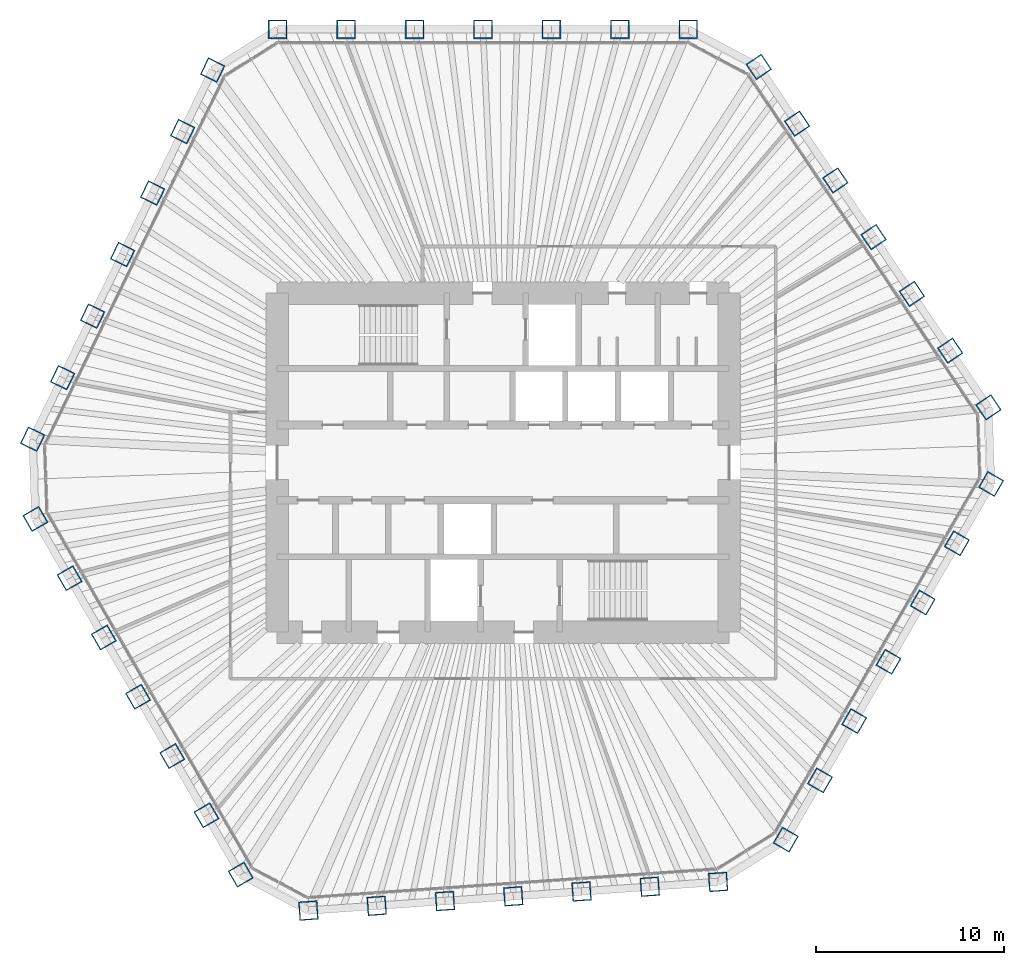
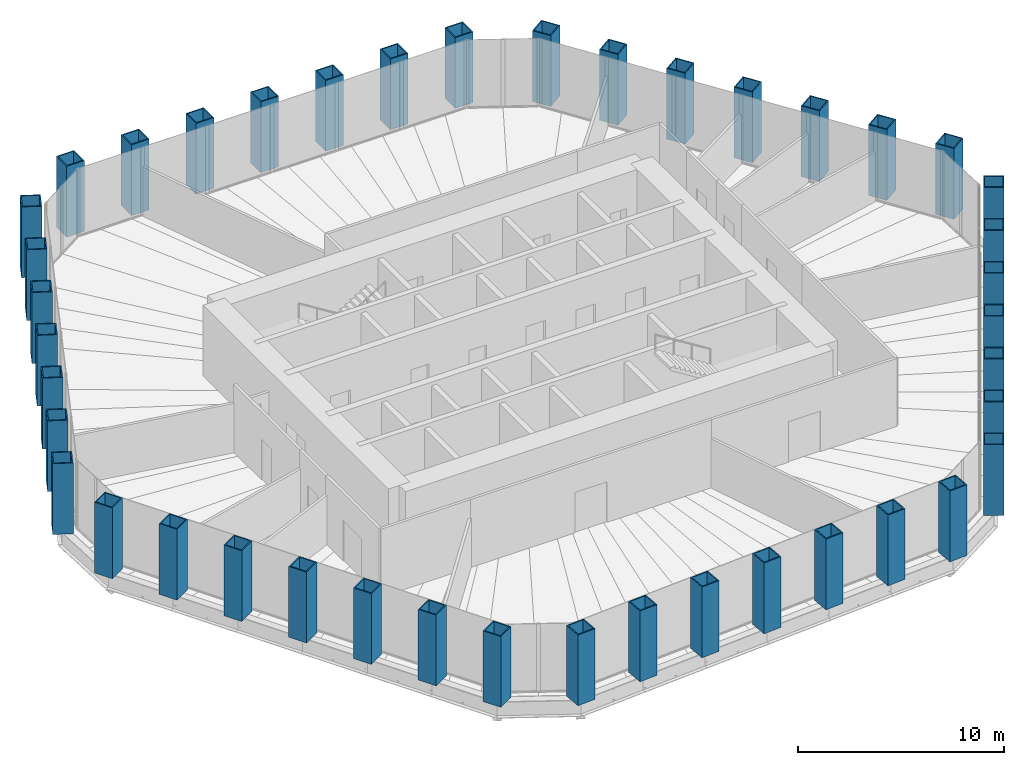
# One storey, part 1 of 13: 42 columns.
"""IFC4 building model written with IfcOpenShell, lengths in metres."""

from ifc_helpers import new_model, si_unit, direction, frame, origin, origin_2d, place, context, subcontext, project, spatial, hollow_rectangle, extrude, material, material_profile, profile_set, type_object, element, save


model = new_model("IFC4")

# Units and contexts
model_context = context("Model", 3, precision=1e-05, world=origin(), true_north=direction((0.0, 1.0)))
body_context = subcontext(model_context, "Body", "Model", "MODEL_VIEW")
ifc_project = project(units=[si_unit("LENGTHUNIT", "METRE"), si_unit("AREAUNIT", "SQUARE_METRE"), si_unit("VOLUMEUNIT", "CUBIC_METRE"), si_unit("PLANEANGLEUNIT", "RADIAN"), si_unit("MASSUNIT", "GRAM", prefix="KILO")], contexts=[model_context])

# Site, building, storey
site_placement = place(None, origin())
site = spatial("IfcSite", under=ifc_project, at=site_placement, CompositionType="ELEMENT")
building_placement = place(site_placement, origin())
building = spatial("IfcBuilding", under=site, at=building_placement, Name="Qingtian Harvest Tower", CompositionType="ELEMENT")
storey_placement = place(building_placement, frame((0.0, 0.0, 247.60009765625)))
storey = spatial("IfcBuildingStorey", under=building, at=storey_placement, Name="L54", CompositionType="ELEMENT", Elevation=247.60009765625)

# Columns
ifc_material = material(Name="Steel SM570MC", Category="steel")
ifc_material_profile = material_profile(ifc_material, hollow_rectangle(XDim=1.0, YDim=1.0, WallThickness=0.06005859375, at=origin_2d()), Name="BOX1000x1000x60")
ifc_profile_set = profile_set([ifc_material_profile], Name="Steel SM570MC")
column_type = type_object("IfcColumnType", Name="Tube column TC6 BOX1000x1000x60", PredefinedType="COLUMN", material=ifc_profile_set)
for number, where, z_axis, x_axis, name in (
    (1, (-11.971923828125, 23.0, 0.0), (0.0, 0.0, 1.0), (-1.0, 0.0, 0.0), "Tube column TC6 N0"),
    (2, (-8.33837890625, 23.0, 0.0), (0.0, 0.0, 1.0), (-1.0, 0.0, 0.0), "Tube column TC6 N1"),
    (3, (-4.704833984375, 23.0, 0.0), (0.0, 0.0, 1.0), (-1.0, 0.0, 0.0), "Tube column TC6 N2"),
    (4, (-1.0712890625, 23.0, 0.0), (0.0, 0.0, 1.0), (-1.0, 0.0, 0.0), "Tube column TC6 N3"),
    (5, (2.562255859375, 23.0, 0.0), (0.0, 0.0, 1.0), (-1.0, 0.0, 0.0), "Tube column TC6 N4"),
    (6, (6.19580078125, 23.0, 0.0), (0.0, 0.0, 1.0), (-1.0, 0.0, 0.0), "Tube column TC6 N5"),
    (7, (9.829345703125, 23.0, 0.0), (0.0, 0.0, 1.0), (-1.0, 0.0, 0.0), "Tube column TC6 N6"),
    (8, (13.5712890625, 21.01025390625, 0.0), (0.0, 0.0, 1.0), (-0.559192903471, 0.829037572555, 0.0), "Tube column TC6 NE0"),
    (9, (15.603271484375, 17.998046875, 0.0), (0.0, 0.0, 1.0), (-0.559192903471, 0.829037572555, 0.0), "Tube column TC6 NE1"),
    (10, (17.635009765625, 14.985595703125, 0.0), (0.0, 0.0, 1.0), (-0.559192903471, 0.829037572555, 0.0), "Tube column TC6 NE2"),
    (11, (19.6669921875, 11.97314453125, 0.0), (0.0, 0.0, 1.0), (-0.559192903471, 0.829037572555, 0.0), "Tube column TC6 NE3"),
    (12, (21.69873046875, 8.9609375, 0.0), (0.0, 0.0, 1.0), (-0.559192903471, 0.829037572555, 0.0), "Tube column TC6 NE4"),
    (13, (23.730712890625, 5.948486328125, 0.0), (0.0, 0.0, 1.0), (-0.559192903471, 0.829037572555, 0.0), "Tube column TC6 NE5"),
    (14, (25.762451171875, 2.936279296875, 0.0), (0.0, 0.0, 1.0), (-0.559192903471, 0.829037572555, 0.0), "Tube column TC6 NE6"),
    (15, (25.904541015625, -1.1318359375, 0.0), (0.0, 0.0, 1.0), (0.5, 0.866025403784, 0.0), "Tube column TC6 SE0"),
    (16, (24.087890625, -4.27880859375, 0.0), (0.0, 0.0, 1.0), (0.5, 0.866025403784, 0.0), "Tube column TC6 SE1"),
    (17, (22.27099609375, -7.425537109375, 0.0), (0.0, 0.0, 1.0), (0.5, 0.866025403784, 0.0), "Tube column TC6 SE2"),
    (18, (20.454345703125, -10.572265625, 0.0), (0.0, 0.0, 1.0), (0.5, 0.866025403784, 0.0), "Tube column TC6 SE3"),
    (19, (18.637451171875, -13.718994140625, 0.0), (0.0, 0.0, 1.0), (0.5, 0.866025403784, 0.0), "Tube column TC6 SE4"),
    (20, (16.82080078125, -16.86572265625, 0.0), (0.0, 0.0, 1.0), (0.5, 0.866025403784, 0.0), "Tube column TC6 SE5"),
    (21, (15.00390625, -20.012451171875, 0.0), (0.0, 0.0, 1.0), (0.5, 0.866025403784, 0.0), "Tube column TC6 SE6"),
    (22, (11.40966796875, -22.25830078125, 0.0), (0.0, 0.0, 1.0), (0.99756405026, 0.069756473744, 0.0), "Tube column TC6 S0"),
    (23, (7.78515625, -22.51171875, 0.0), (0.0, 0.0, 1.0), (0.99756405026, 0.069756473744, 0.0), "Tube column TC6 S1"),
    (24, (4.160400390625, -22.76513671875, 0.0), (0.0, 0.0, 1.0), (0.99756405026, 0.069756473744, 0.0), "Tube column TC6 S2"),
    (25, (0.53564453125, -23.018798828125, 0.0), (0.0, 0.0, 1.0), (0.99756405026, 0.069756473744, 0.0), "Tube column TC6 S3"),
    (26, (-3.089111328125, -23.272216796875, 0.0), (0.0, 0.0, 1.0), (0.99756405026, 0.069756473744, 0.0), "Tube column TC6 S4"),
    (27, (-6.713623046875, -23.525634765625, 0.0), (0.0, 0.0, 1.0), (0.99756405026, 0.069756473744, 0.0), "Tube column TC6 S5"),
    (28, (-10.33837890625, -23.779052734375, 0.0), (0.0, 0.0, 1.0), (0.99756405026, 0.069756473744, 0.0), "Tube column TC6 S6"),
    (29, (-13.9326171875, -21.8681640625, 0.0), (0.0, 0.0, 1.0), (0.5, -0.866025403784, 0.0), "Tube column TC6 SW0"),
    (30, (-15.749267578125, -18.72119140625, 0.0), (0.0, 0.0, 1.0), (0.5, -0.866025403784, 0.0), "Tube column TC6 SW1"),
    (31, (-17.566162109375, -15.574462890625, 0.0), (0.0, 0.0, 1.0), (0.5, -0.866025403784, 0.0), "Tube column TC6 SW2"),
    (32, (-19.3828125, -12.427734375, 0.0), (0.0, 0.0, 1.0), (0.5, -0.866025403784, 0.0), "Tube column TC6 SW3"),
    (33, (-21.19970703125, -9.281005859375, 0.0), (0.0, 0.0, 1.0), (0.5, -0.866025403784, 0.0), "Tube column TC6 SW4"),
    (34, (-23.016357421875, -6.13427734375, 0.0), (0.0, 0.0, 1.0), (0.5, -0.866025403784, 0.0), "Tube column TC6 SW5"),
    (35, (-24.833251953125, -2.987548828125, 0.0), (0.0, 0.0, 1.0), (0.5, -0.866025403784, 0.0), "Tube column TC6 SW6"),
    (36, (-24.981201171875, 1.248046875, 0.0), (0.0, 0.0, 1.0), (-0.438371146789, -0.898794046299, 0.0), "Tube column TC6 NW0"),
    (37, (-23.388427734375, 4.513916015625, 0.0), (0.0, 0.0, 1.0), (-0.438371146789, -0.898794046299, 0.0), "Tube column TC6 NW1"),
    (38, (-21.79541015625, 7.779541015625, 0.0), (0.0, 0.0, 1.0), (-0.438371146789, -0.898794046299, 0.0), "Tube column TC6 NW2"),
    (39, (-20.20263671875, 11.04541015625, 0.0), (0.0, 0.0, 1.0), (-0.438371146789, -0.898794046299, 0.0), "Tube column TC6 NW3"),
    (40, (-18.60986328125, 14.311279296875, 0.0), (0.0, 0.0, 1.0), (-0.438371146789, -0.898794046299, 0.0), "Tube column TC6 NW4"),
    (41, (-17.016845703125, 17.5771484375, 0.0), (0.0, 0.0, 1.0), (-0.438371146789, -0.898794046299, 0.0), "Tube column TC6 NW5"),
    (42, (-15.424072265625, 20.8427734375, 0.0), (0.0, 0.0, 1.0), (-0.438371146789, -0.898794046299, 0.0), "Tube column TC6 NW6"),
):
    element("IfcColumn", number, at=place(storey_placement, frame(where, z_axis=z_axis, x_axis=x_axis)), inside=storey, type_object=column_type, Name=name, PredefinedType="COLUMN", context=body_context, shape_type="SweptSolid", body=[
        extrude(hollow_rectangle(XDim=1.0, YDim=1.0, WallThickness=0.06005859375, at=origin_2d()), origin(), (0.0, 0.0, 1.0), 4.199951171875),
    ])

save(model, "model.ifc")
